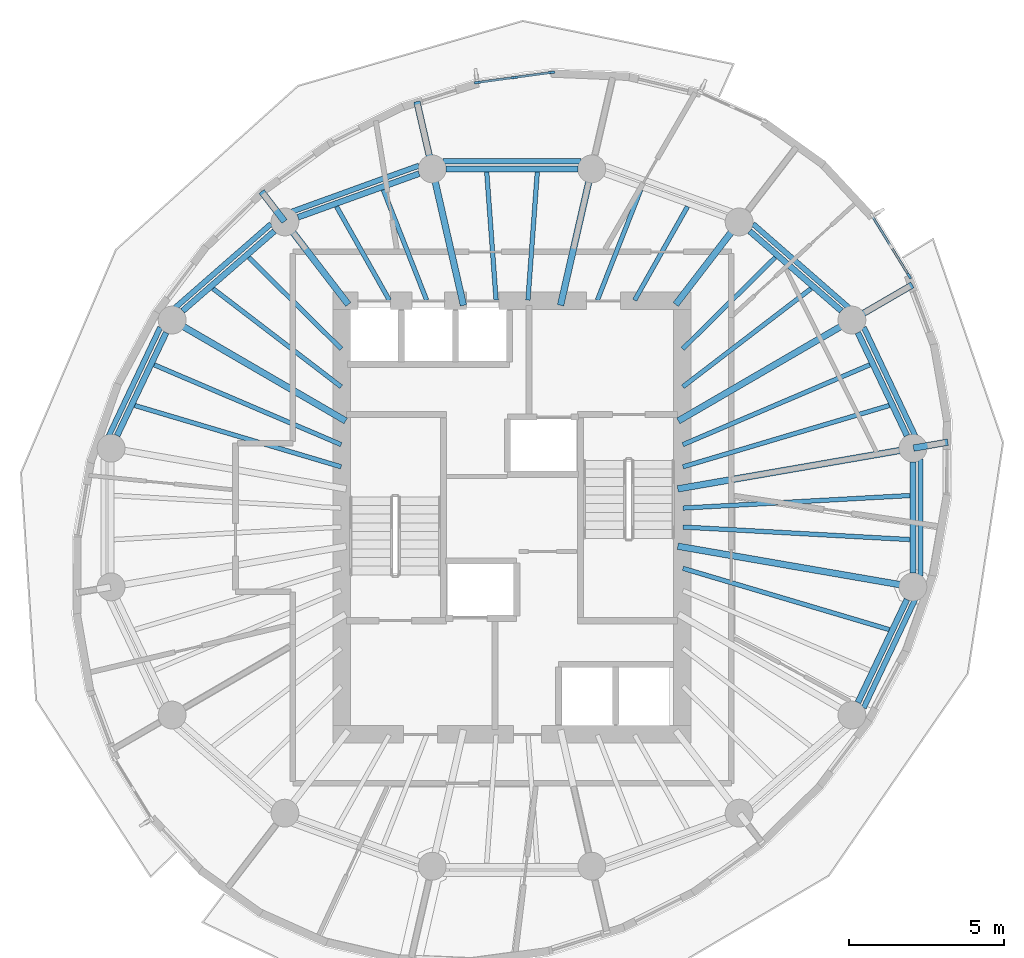
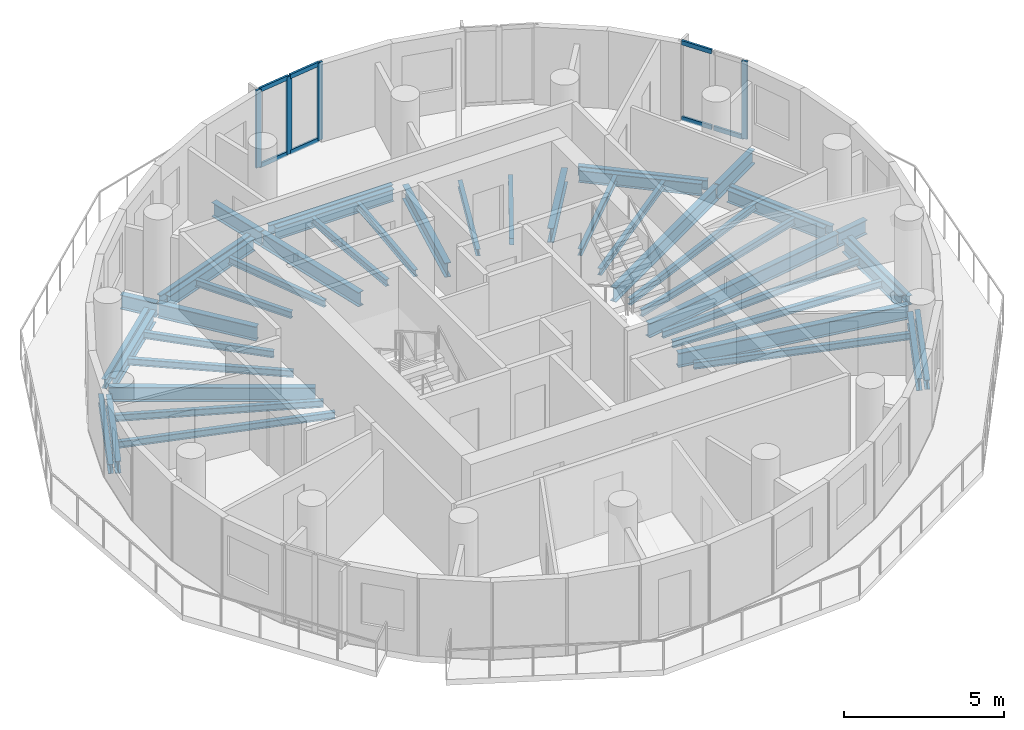
# One storey, part 2 of 10: 45 beams, 11 members, 2 elements without a shape of their own.
"""IFC4 building model written with IfcOpenShell, lengths in metres."""

from ifc_helpers import new_model, si_unit, direction, frame, origin, origin_2d, place, context, subcontext, project, spatial, rectangle, i_section, extrude, material, material_profile, profile_set, type_object, element, aggregate, save


model = new_model("IFC4")

# Units and contexts
model_context = context("Model", 3, precision=1e-05, world=origin(), true_north=direction((0.0, 1.0)))
body_context = subcontext(model_context, "Body", "Model", "MODEL_VIEW")
ifc_project = project(units=[si_unit("LENGTHUNIT", "METRE"), si_unit("AREAUNIT", "SQUARE_METRE"), si_unit("VOLUMEUNIT", "CUBIC_METRE"), si_unit("PLANEANGLEUNIT", "RADIAN"), si_unit("MASSUNIT", "GRAM", prefix="KILO")], contexts=[model_context])

# Site, building, storey
site_placement = place(None, origin())
site = spatial("IfcSite", under=ifc_project, at=site_placement, CompositionType="ELEMENT")
building_placement = place(site_placement, origin())
building = spatial("IfcBuilding", under=site, at=building_placement, Name="Veldorim Arch Residences", CompositionType="ELEMENT")
storey_placement = place(building_placement, frame((0.0, 0.0, 201.43994140625)))
storey = spatial("IfcBuildingStorey", under=building, at=storey_placement, Name="L60", CompositionType="ELEMENT", Elevation=201.43994140625)

# Beams
ifc_material_1 = material(Name="Steel S355", Category="steel")
ifc_material_profile_1 = material_profile(ifc_material_1, i_section(OverallWidth=0.2119140625, OverallDepth=0.54443359375, WebThickness=0.0126953125, FlangeThickness=0.021240234375, at=origin_2d()), Name="UB533x210x122")
ifc_profile_set_1 = profile_set([ifc_material_profile_1], Name="Steel S355")
beam_type_1 = type_object("IfcBeamType", Name="Structural Steel Beam UB533x210x122", PredefinedType="BEAM", material=ifc_profile_set_1)
beam_1_placement = place(storey_placement, frame((37.352294921875, 24.92578125, -0.51220703125), z_axis=(0.985364974081, 0.170457818401, 0.0), x_axis=(-0.170457818401, 0.985364974081, 0.0)))
element("IfcBeam", 1, at=beam_1_placement, inside=storey, type_object=beam_type_1, Name="L60 radial floor girder 01", PredefinedType="BEAM", context=body_context, shape_type="SweptSolid", body=[
    extrude(i_section(OverallWidth=0.2119140625, OverallDepth=0.54443359375, WebThickness=0.0126953125, FlangeThickness=0.021240234375, at=origin_2d()), origin(), (0.0, 0.0, 1.0), 7.68701171875),
])
beam_2_placement = place(storey_placement, frame((44.966064453125, 26.242919921875, -0.51220703125), z_axis=(0.985354711989, 0.170517129816, 0.0), x_axis=(-0.170517129816, 0.985354711989, 0.0)))
element("IfcBeam", 2, at=beam_2_placement, inside=storey, type_object=beam_type_1, Name="L60 radial edge cantilever girder 01", PredefinedType="BEAM", context=body_context, shape_type="SweptSolid", body=[
    extrude(i_section(OverallWidth=0.2119140625, OverallDepth=0.54443359375, WebThickness=0.0126953125, FlangeThickness=0.021240234375, at=origin_2d()), origin(), (0.0, 0.0, 1.0), 1.12548828125),
])
beam_3_placement = place(storey_placement, frame((37.370361328125, 27.12060546875, -0.51220703125), z_axis=(0.864595736304, 0.502468121142, 0.0), x_axis=(-0.502468121142, 0.864595736304, 0.0)))
element("IfcBeam", 3, at=beam_3_placement, inside=storey, type_object=beam_type_1, Name="L60 radial floor girder 02", PredefinedType="BEAM", context=body_context, shape_type="SweptSolid", body=[
    extrude(i_section(OverallWidth=0.2119140625, OverallDepth=0.54443359375, WebThickness=0.0126953125, FlangeThickness=0.021240234375, at=origin_2d()), origin(), (0.0, 0.0, 1.0), 6.462646484375),
])
beam_4_placement = place(storey_placement, frame((42.99267578125, 30.387939453125, -0.51220703125), z_axis=(0.86461626896, 0.502432788988, 0.0), x_axis=(-0.502432788988, 0.86461626896, 0.0)))
element("IfcBeam", 4, at=beam_4_placement, inside=storey, type_object=beam_type_1, Name="L60 radial edge cantilever girder 02", PredefinedType="BEAM", context=body_context, shape_type="SweptSolid", body=[
    extrude(i_section(OverallWidth=0.2119140625, OverallDepth=0.54443359375, WebThickness=0.0126953125, FlangeThickness=0.021240234375, at=origin_2d()), origin(), (0.0, 0.0, 1.0), 2.238525390625),
])
beam_5_placement = place(storey_placement, frame((37.28662109375, 30.881103515625, -0.51220703125), z_axis=(0.609258442308, 0.792971721108, 0.0), x_axis=(-0.792971721108, 0.609258442308, 0.0)))
element("IfcBeam", 5, at=beam_5_placement, inside=storey, type_object=beam_type_1, Name="L60 radial floor girder 03", PredefinedType="BEAM", context=body_context, shape_type="SweptSolid", body=[
    extrude(i_section(OverallWidth=0.2119140625, OverallDepth=0.54443359375, WebThickness=0.0126953125, FlangeThickness=0.021240234375, at=origin_2d()), origin(), (0.0, 0.0, 1.0), 3.339599609375),
])
for number, where, z_axis, x_axis, name in (
    (6, (33.567626953125, 30.853759765625, -0.51220703125), (0.222952976993, 0.97482920045, 0.0), (-0.97482920045, 0.222952976993, 0.0), "L60 radial floor girder 04"),
    (7, (30.432373046875, 30.853759765625, -0.51220703125), (-0.222952976993, 0.97482920045, 0.0), (-0.97482920045, -0.222952976993, 0.0), "L60 radial floor girder 05"),
):
    element("IfcBeam", number, at=place(storey_placement, frame(where, z_axis=z_axis, x_axis=x_axis)), inside=storey, type_object=beam_type_1, Name=name, PredefinedType="BEAM", context=body_context, shape_type="SweptSolid", body=[
        extrude(i_section(OverallWidth=0.2119140625, OverallDepth=0.54443359375, WebThickness=0.0126953125, FlangeThickness=0.021240234375, at=origin_2d()), origin(), (0.0, 0.0, 1.0), 4.49951171875),
    ])
beam_6_placement = place(storey_placement, frame((29.42041015625, 35.27880859375, -0.51220703125), z_axis=(-0.223010839713, 0.974815964872, 0.0), x_axis=(-0.974815964872, -0.223010839713, 0.0)))
element("IfcBeam", 8, at=beam_6_placement, inside=storey, type_object=beam_type_1, Name="L60 radial edge cantilever girder 05", PredefinedType="BEAM", context=body_context, shape_type="SweptSolid", body=[
    extrude(i_section(OverallWidth=0.2119140625, OverallDepth=0.54443359375, WebThickness=0.0126953125, FlangeThickness=0.021240234375, at=origin_2d()), origin(), (0.0, 0.0, 1.0), 2.209228515625),
])
beam_7_placement = place(storey_placement, frame((26.71337890625, 30.881103515625, -0.51220703125), z_axis=(-0.609258442308, 0.792971721108, 0.0), x_axis=(-0.792971721108, -0.609258442308, 0.0)))
element("IfcBeam", 9, at=beam_7_placement, inside=storey, type_object=beam_type_1, Name="L60 radial floor girder 06", PredefinedType="BEAM", context=body_context, shape_type="SweptSolid", body=[
    extrude(i_section(OverallWidth=0.2119140625, OverallDepth=0.54443359375, WebThickness=0.0126953125, FlangeThickness=0.021240234375, at=origin_2d()), origin(), (0.0, 0.0, 1.0), 3.339599609375),
])
beam_8_placement = place(storey_placement, frame((24.654296875, 33.561279296875, -0.51220703125), z_axis=(-0.609217205993, 0.793003402214, 0.0), x_axis=(-0.793003402214, -0.609217205993, 0.0)))
element("IfcBeam", 10, at=beam_8_placement, inside=storey, type_object=beam_type_1, Name="L60 radial edge cantilever girder 06", PredefinedType="BEAM", context=body_context, shape_type="SweptSolid", body=[
    extrude(i_section(OverallWidth=0.2119140625, OverallDepth=0.54443359375, WebThickness=0.0126953125, FlangeThickness=0.021240234375, at=origin_2d()), origin(), (0.0, 0.0, 1.0), 1.219482421875),
])
beam_9_placement = place(storey_placement, frame((26.629638671875, 27.12060546875, -0.51220703125), z_axis=(-0.864595736304, 0.502468121142, 0.0), x_axis=(-0.502468121142, -0.864595736304, 0.0)))
element("IfcBeam", 11, at=beam_9_placement, inside=storey, type_object=beam_type_1, Name="L60 radial floor girder 07", PredefinedType="BEAM", context=body_context, shape_type="SweptSolid", body=[
    extrude(i_section(OverallWidth=0.2119140625, OverallDepth=0.54443359375, WebThickness=0.0126953125, FlangeThickness=0.021240234375, at=origin_2d()), origin(), (0.0, 0.0, 1.0), 6.462646484375),
])
beam_10_placement = place(storey_placement, frame((37.352294921875, 23.07421875, -0.51220703125), z_axis=(0.985364974081, -0.170457818401, 0.0), x_axis=(0.170457818401, 0.985364974081, 0.0)))
element("IfcBeam", 12, at=beam_10_placement, inside=storey, type_object=beam_type_1, Name="L60 radial floor girder 16", PredefinedType="BEAM", context=body_context, shape_type="SweptSolid", body=[
    extrude(i_section(OverallWidth=0.2119140625, OverallDepth=0.54443359375, WebThickness=0.0126953125, FlangeThickness=0.021240234375, at=origin_2d()), origin(), (0.0, 0.0, 1.0), 7.68701171875),
])
ifc_material_2 = material(Name="Steel S355", Category="steel")
ifc_material_profile_2 = material_profile(ifc_material_2, i_section(OverallWidth=0.146484375, OverallDepth=0.256103515625, WebThickness=0.00634765625, FlangeThickness=0.010986328125, at=origin_2d()), Name="UB254x146x37")
ifc_profile_set_2 = profile_set([ifc_material_profile_2], Name="Steel S355")
beam_type_2 = type_object("IfcBeamType", Name="Structural Steel Joist UB254x146x37", PredefinedType="JOIST", material=ifc_profile_set_2)
beam_11_placement = place(storey_placement, frame((37.519287109375, 25.639404296875, -0.367919921875), z_axis=(0.958594432792, 0.284774846889, 0.0), x_axis=(-0.284774846889, 0.958594432792, 0.0)))
element("IfcBeam", 13, at=beam_11_placement, inside=storey, type_object=beam_type_2, Name="L60 secondary radial floor joist 01-1", PredefinedType="JOIST", context=body_context, shape_type="SweptSolid", body=[
    extrude(i_section(OverallWidth=0.146484375, OverallDepth=0.256103515625, WebThickness=0.00634765625, FlangeThickness=0.010986328125, at=origin_2d()), origin(), (0.0, 0.0, 1.0), 6.949462890625),
])
beam_12_placement = place(storey_placement, frame((37.518310546875, 26.355712890625, -0.367919921875), z_axis=(0.919725161652, 0.392562895629, 0.0), x_axis=(-0.392562895629, 0.919725161652, 0.0)))
element("IfcBeam", 14, at=beam_12_placement, inside=storey, type_object=beam_type_2, Name="L60 secondary radial floor joist 01-2", PredefinedType="JOIST", context=body_context, shape_type="SweptSolid", body=[
    extrude(i_section(OverallWidth=0.146484375, OverallDepth=0.256103515625, WebThickness=0.00634765625, FlangeThickness=0.010986328125, at=origin_2d()), origin(), (0.0, 0.0, 1.0), 6.5625),
])
beam_13_placement = place(storey_placement, frame((37.515869140625, 28.222900390625, -0.367919921875), z_axis=(0.794013672216, 0.607899899929, 0.0), x_axis=(-0.607899899929, 0.794013672216, 0.0)))
element("IfcBeam", 15, at=beam_13_placement, inside=storey, type_object=beam_type_2, Name="L60 secondary radial floor joist 02-1", PredefinedType="JOIST", context=body_context, shape_type="SweptSolid", body=[
    extrude(i_section(OverallWidth=0.146484375, OverallDepth=0.256103515625, WebThickness=0.00634765625, FlangeThickness=0.010986328125, at=origin_2d()), origin(), (0.0, 0.0, 1.0), 5.217041015625),
])
beam_14_placement = place(storey_placement, frame((37.51416015625, 29.44775390625, -0.367919921875), z_axis=(0.711396725432, 0.702790650937, 0.0), x_axis=(-0.702790650937, 0.711396725432, 0.0)))
element("IfcBeam", 16, at=beam_14_placement, inside=storey, type_object=beam_type_2, Name="L60 secondary radial floor joist 02-2", PredefinedType="JOIST", context=body_context, shape_type="SweptSolid", body=[
    extrude(i_section(OverallWidth=0.146484375, OverallDepth=0.256103515625, WebThickness=0.00634765625, FlangeThickness=0.010986328125, at=origin_2d()), origin(), (0.0, 0.0, 1.0), 4.198486328125),
])
beam_15_placement = place(storey_placement, frame((35.960205078125, 31.017333984375, -0.367919921875), z_axis=(0.491452469585, 0.870904397818, 0.0), x_axis=(-0.870904397818, 0.491452469585, 0.0)))
element("IfcBeam", 17, at=beam_15_placement, inside=storey, type_object=beam_type_2, Name="L60 secondary radial floor joist 03-1", PredefinedType="JOIST", context=body_context, shape_type="SweptSolid", body=[
    extrude(i_section(OverallWidth=0.146484375, OverallDepth=0.256103515625, WebThickness=0.00634765625, FlangeThickness=0.010986328125, at=origin_2d()), origin(), (0.0, 0.0, 1.0), 3.472412109375),
])
beam_16_placement = place(storey_placement, frame((34.75634765625, 31.0185546875, -0.367919921875), z_axis=(0.365581383042, 0.930779379001, 0.0), x_axis=(-0.930779379001, 0.365581383042, 0.0)))
element("IfcBeam", 18, at=beam_16_placement, inside=storey, type_object=beam_type_2, Name="L60 secondary radial floor joist 03-2", PredefinedType="JOIST", context=body_context, shape_type="SweptSolid", body=[
    extrude(i_section(OverallWidth=0.146484375, OverallDepth=0.256103515625, WebThickness=0.00634765625, FlangeThickness=0.010986328125, at=origin_2d()), origin(), (0.0, 0.0, 1.0), 3.83056640625),
])
for number, where, z_axis, x_axis, name in (
    (19, (32.513916015625, 31.02001953125, -0.367919921875), (0.072985625899, 0.997332992742, 0.0), (-0.997332992742, 0.072985625899, 0.0), "L60 secondary radial floor joist 04-1"),
    (20, (31.486083984375, 31.02001953125, -0.367919921875), (-0.072985625899, 0.997332992742, 0.0), (-0.997332992742, -0.072985625899, 0.0), "L60 secondary radial floor joist 04-2"),
):
    element("IfcBeam", number, at=place(storey_placement, frame(where, z_axis=z_axis, x_axis=x_axis)), inside=storey, type_object=beam_type_2, Name=name, PredefinedType="JOIST", context=body_context, shape_type="SweptSolid", body=[
        extrude(i_section(OverallWidth=0.146484375, OverallDepth=0.256103515625, WebThickness=0.00634765625, FlangeThickness=0.010986328125, at=origin_2d()), origin(), (0.0, 0.0, 1.0), 4.151123046875),
    ])
beam_17_placement = place(storey_placement, frame((29.24365234375, 31.0185546875, -0.367919921875), z_axis=(-0.365581383042, 0.930779379001, 0.0), x_axis=(-0.930779379001, -0.365581383042, 0.0)))
element("IfcBeam", 21, at=beam_17_placement, inside=storey, type_object=beam_type_2, Name="L60 secondary radial floor joist 05-1", PredefinedType="JOIST", context=body_context, shape_type="SweptSolid", body=[
    extrude(i_section(OverallWidth=0.146484375, OverallDepth=0.256103515625, WebThickness=0.00634765625, FlangeThickness=0.010986328125, at=origin_2d()), origin(), (0.0, 0.0, 1.0), 3.83056640625),
])
beam_18_placement = place(storey_placement, frame((28.039794921875, 31.017333984375, -0.367919921875), z_axis=(-0.491452469585, 0.870904397818, 0.0), x_axis=(-0.870904397818, -0.491452469585, 0.0)))
element("IfcBeam", 22, at=beam_18_placement, inside=storey, type_object=beam_type_2, Name="L60 secondary radial floor joist 05-2", PredefinedType="JOIST", context=body_context, shape_type="SweptSolid", body=[
    extrude(i_section(OverallWidth=0.146484375, OverallDepth=0.256103515625, WebThickness=0.00634765625, FlangeThickness=0.010986328125, at=origin_2d()), origin(), (0.0, 0.0, 1.0), 3.472412109375),
])
beam_19_placement = place(storey_placement, frame((26.48583984375, 29.44775390625, -0.367919921875), z_axis=(-0.711396725432, 0.702790650937, 0.0), x_axis=(-0.702790650937, -0.711396725432, 0.0)))
element("IfcBeam", 23, at=beam_19_placement, inside=storey, type_object=beam_type_2, Name="L60 secondary radial floor joist 06-1", PredefinedType="JOIST", context=body_context, shape_type="SweptSolid", body=[
    extrude(i_section(OverallWidth=0.146484375, OverallDepth=0.256103515625, WebThickness=0.00634765625, FlangeThickness=0.010986328125, at=origin_2d()), origin(), (0.0, 0.0, 1.0), 4.198486328125),
])
beam_20_placement = place(storey_placement, frame((26.484130859375, 28.222900390625, -0.367919921875), z_axis=(-0.794013672216, 0.607899899929, 0.0), x_axis=(-0.607899899929, -0.794013672216, 0.0)))
element("IfcBeam", 24, at=beam_20_placement, inside=storey, type_object=beam_type_2, Name="L60 secondary radial floor joist 06-2", PredefinedType="JOIST", context=body_context, shape_type="SweptSolid", body=[
    extrude(i_section(OverallWidth=0.146484375, OverallDepth=0.256103515625, WebThickness=0.00634765625, FlangeThickness=0.010986328125, at=origin_2d()), origin(), (0.0, 0.0, 1.0), 5.217041015625),
])
beam_21_placement = place(storey_placement, frame((26.481689453125, 26.355712890625, -0.367919921875), z_axis=(-0.919725161652, 0.392562895629, 0.0), x_axis=(-0.392562895629, -0.919725161652, 0.0)))
element("IfcBeam", 25, at=beam_21_placement, inside=storey, type_object=beam_type_2, Name="L60 secondary radial floor joist 07-1", PredefinedType="JOIST", context=body_context, shape_type="SweptSolid", body=[
    extrude(i_section(OverallWidth=0.146484375, OverallDepth=0.256103515625, WebThickness=0.00634765625, FlangeThickness=0.010986328125, at=origin_2d()), origin(), (0.0, 0.0, 1.0), 6.5625),
])
for number, where, z_axis, x_axis, name in (
    (26, (26.480712890625, 25.639404296875, -0.367919921875), (-0.958594432792, 0.284774846889, 0.0), (-0.284774846889, -0.958594432792, 0.0), "L60 secondary radial floor joist 07-2"),
    (27, (37.519287109375, 22.360595703125, -0.367919921875), (0.958594432792, -0.284774846889, 0.0), (0.284774846889, 0.958594432792, 0.0), "L60 secondary radial floor joist 15-2"),
):
    element("IfcBeam", number, at=place(storey_placement, frame(where, z_axis=z_axis, x_axis=x_axis)), inside=storey, type_object=beam_type_2, Name=name, PredefinedType="JOIST", context=body_context, shape_type="SweptSolid", body=[
        extrude(i_section(OverallWidth=0.146484375, OverallDepth=0.256103515625, WebThickness=0.00634765625, FlangeThickness=0.010986328125, at=origin_2d()), origin(), (0.0, 0.0, 1.0), 6.949462890625),
    ])
for number, where, z_axis, x_axis, name in (
    (28, (37.52001953125, 23.6943359375, -0.367919921875), (0.998472000884, -0.055259962464, 0.0), (0.055259962464, 0.998472000884, 0.0), "L60 secondary radial floor joist 16-1"),
    (29, (37.52001953125, 24.3056640625, -0.367919921875), (0.998472000884, 0.055259962464, 0.0), (-0.055259962464, 0.998472000884, 0.0), "L60 secondary radial floor joist 16-2"),
):
    element("IfcBeam", number, at=place(storey_placement, frame(where, z_axis=z_axis, x_axis=x_axis)), inside=storey, type_object=beam_type_2, Name=name, PredefinedType="JOIST", context=body_context, shape_type="SweptSolid", body=[
        extrude(i_section(OverallWidth=0.146484375, OverallDepth=0.256103515625, WebThickness=0.00634765625, FlangeThickness=0.010986328125, at=origin_2d()), origin(), (0.0, 0.0, 1.0), 7.33837890625),
    ])
ifc_material_3 = material(Name="Steel S355", Category="steel")
ifc_material_profile_3 = material_profile(ifc_material_3, i_section(OverallWidth=0.172119140625, OverallDepth=0.35791015625, WebThickness=0.008056640625, FlangeThickness=0.012939453125, at=origin_2d()), Name="UB356x171x57")
ifc_profile_set_3 = profile_set([ifc_material_profile_3], Name="Steel S355")
beam_type_3 = type_object("IfcBeamType", Name="Structural Steel Spandrel UB356x171x57", PredefinedType="SPANDREL", material=ifc_profile_set_3)
beam_22_placement = place(storey_placement, frame((45.0205078125, 26.6396484375, -0.43896484375), z_axis=(-0.428408308939, 0.903585259304, 0.0), x_axis=(-0.903585259304, -0.428408308939, 0.0)))
element("IfcBeam", 30, at=beam_22_placement, inside=storey, type_object=beam_type_3, Name="L60 perimeter chord spandrel beam 01", PredefinedType="SPANDREL", context=body_context, shape_type="SweptSolid", body=[
    extrude(i_section(OverallWidth=0.172119140625, OverallDepth=0.35791015625, WebThickness=0.008056640625, FlangeThickness=0.012939453125, at=origin_2d()), origin(), (0.0, 0.0, 1.0), 3.878662109375),
])
beam_23_placement = place(storey_placement, frame((42.891357421875, 30.762939453125, -0.43896484375), z_axis=(-0.752847646119, 0.6581948205, 0.0), x_axis=(-0.6581948205, -0.752847646119, 0.0)))
element("IfcBeam", 31, at=beam_23_placement, inside=storey, type_object=beam_type_3, Name="L60 perimeter chord spandrel beam 02", PredefinedType="SPANDREL", context=body_context, shape_type="SweptSolid", body=[
    extrude(i_section(OverallWidth=0.172119140625, OverallDepth=0.35791015625, WebThickness=0.008056640625, FlangeThickness=0.012939453125, at=origin_2d()), origin(), (0.0, 0.0, 1.0), 4.12939453125),
])
beam_24_placement = place(storey_placement, frame((34.234375, 35.500732421875, -0.43896484375), z_axis=(-1.0, 0.0, 0.0), x_axis=(0.0, -1.0, 0.0)))
element("IfcBeam", 32, at=beam_24_placement, inside=storey, type_object=beam_type_3, Name="L60 perimeter chord spandrel beam 04", PredefinedType="SPANDREL", context=body_context, shape_type="SweptSolid", body=[
    extrude(i_section(OverallWidth=0.172119140625, OverallDepth=0.35791015625, WebThickness=0.008056640625, FlangeThickness=0.012939453125, at=origin_2d()), origin(), (0.0, 0.0, 1.0), 4.46875),
])
beam_25_placement = place(storey_placement, frame((28.997314453125, 35.36572265625, -0.43896484375), z_axis=(-0.940164695555, -0.340720332871, 0.0), x_axis=(0.340720332871, -0.940164695555, 0.0)))
element("IfcBeam", 33, at=beam_25_placement, inside=storey, type_object=beam_type_3, Name="L60 perimeter chord spandrel beam 05", PredefinedType="SPANDREL", context=body_context, shape_type="SweptSolid", body=[
    extrude(i_section(OverallWidth=0.172119140625, OverallDepth=0.35791015625, WebThickness=0.008056640625, FlangeThickness=0.012939453125, at=origin_2d()), origin(), (0.0, 0.0, 1.0), 4.370849609375),
])
beam_26_placement = place(storey_placement, frame((24.217529296875, 33.48095703125, -0.43896484375), z_axis=(-0.752847646119, -0.6581948205, 0.0), x_axis=(0.6581948205, -0.752847646119, 0.0)))
element("IfcBeam", 34, at=beam_26_placement, inside=storey, type_object=beam_type_3, Name="L60 perimeter chord spandrel beam 06", PredefinedType="SPANDREL", context=body_context, shape_type="SweptSolid", body=[
    extrude(i_section(OverallWidth=0.172119140625, OverallDepth=0.35791015625, WebThickness=0.008056640625, FlangeThickness=0.012939453125, at=origin_2d()), origin(), (0.0, 0.0, 1.0), 4.12939453125),
])
for number, where, z_axis, x_axis, name in (
    (35, (20.64111328125, 30.144287109375, -0.43896484375), (-0.428408308939, -0.903585259304, 0.0), (0.903585259304, -0.428408308939, 0.0), "L60 perimeter chord spandrel beam 07"),
    (36, (43.35888671875, 17.855712890625, -0.43896484375), (0.428408308939, 0.903585259304, 0.0), (-0.903585259304, 0.428408308939, 0.0), "L60 perimeter chord spandrel beam 15"),
):
    element("IfcBeam", number, at=place(storey_placement, frame(where, z_axis=z_axis, x_axis=x_axis)), inside=storey, type_object=beam_type_3, Name=name, PredefinedType="SPANDREL", context=body_context, shape_type="SweptSolid", body=[
        extrude(i_section(OverallWidth=0.172119140625, OverallDepth=0.35791015625, WebThickness=0.008056640625, FlangeThickness=0.012939453125, at=origin_2d()), origin(), (0.0, 0.0, 1.0), 3.878662109375),
    ])
beam_27_placement = place(storey_placement, frame((45.190185546875, 22.1142578125, -0.43896484375), z_axis=(0.0, 1.0, 0.0), x_axis=(-1.0, 0.0, 0.0)))
element("IfcBeam", 37, at=beam_27_placement, inside=storey, type_object=beam_type_3, Name="L60 perimeter chord spandrel beam 16", PredefinedType="SPANDREL", context=body_context, shape_type="SweptSolid", body=[
    extrude(i_section(OverallWidth=0.172119140625, OverallDepth=0.35791015625, WebThickness=0.008056640625, FlangeThickness=0.012939453125, at=origin_2d()), origin(), (0.0, 0.0, 1.0), 3.771484375),
])
ifc_material_4 = material(Name="Steel S355", Category="steel")
ifc_material_profile_4 = material_profile(ifc_material_4, i_section(OverallWidth=0.19140625, OverallDepth=0.4599609375, WebThickness=0.010009765625, FlangeThickness=0.01611328125, at=origin_2d()), Name="UB457x191x82")
ifc_profile_set_4 = profile_set([ifc_material_profile_4], Name="Steel S355")
beam_type_4 = type_object("IfcBeamType", Name="Structural Steel Spandrel UB457x191x82", PredefinedType="SPANDREL", material=ifc_profile_set_4)
beam_28_placement = place(storey_placement, frame((44.7529296875, 26.64599609375, -0.469970703125), z_axis=(-0.430005613988, 0.902826213586, 0.0), x_axis=(-0.902826213586, -0.430005613988, 0.0)))
element("IfcBeam", 38, at=beam_28_placement, inside=storey, type_object=beam_type_4, Name="L60 perimeter ring tie beam 01", PredefinedType="SPANDREL", context=body_context, shape_type="SweptSolid", body=[
    extrude(i_section(OverallWidth=0.19140625, OverallDepth=0.4599609375, WebThickness=0.010009765625, FlangeThickness=0.01611328125, at=origin_2d()), origin(), (0.0, 0.0, 1.0), 3.68359375),
])
beam_29_placement = place(storey_placement, frame((42.635986328125, 30.673095703125, -0.469970703125), z_axis=(-0.754545285701, 0.656247980436, 0.0), x_axis=(-0.656247980436, -0.754545285701, 0.0)))
element("IfcBeam", 39, at=beam_29_placement, inside=storey, type_object=beam_type_4, Name="L60 perimeter ring tie beam 02", PredefinedType="SPANDREL", context=body_context, shape_type="SweptSolid", body=[
    extrude(i_section(OverallWidth=0.19140625, OverallDepth=0.4599609375, WebThickness=0.010009765625, FlangeThickness=0.01611328125, at=origin_2d()), origin(), (0.0, 0.0, 1.0), 3.9267578125),
])
beam_30_placement = place(storey_placement, frame((34.125244140625, 35.259521484375, -0.469970703125), z_axis=(-1.0, 0.0, 0.0), x_axis=(0.0, -1.0, 0.0)))
element("IfcBeam", 40, at=beam_30_placement, inside=storey, type_object=beam_type_4, Name="L60 perimeter ring tie beam 04", PredefinedType="SPANDREL", context=body_context, shape_type="SweptSolid", body=[
    extrude(i_section(OverallWidth=0.19140625, OverallDepth=0.4599609375, WebThickness=0.010009765625, FlangeThickness=0.01611328125, at=origin_2d()), origin(), (0.0, 0.0, 1.0), 4.25048828125),
])
beam_31_placement = place(storey_placement, frame((29.00146484375, 35.10693359375, -0.469970703125), z_axis=(-0.940811035395, -0.338931550137, 0.0), x_axis=(0.338931550137, -0.940811035395, 0.0)))
element("IfcBeam", 41, at=beam_31_placement, inside=storey, type_object=beam_type_4, Name="L60 perimeter ring tie beam 05", PredefinedType="SPANDREL", context=body_context, shape_type="SweptSolid", body=[
    extrude(i_section(OverallWidth=0.19140625, OverallDepth=0.4599609375, WebThickness=0.010009765625, FlangeThickness=0.01611328125, at=origin_2d()), origin(), (0.0, 0.0, 1.0), 4.15771484375),
])
beam_32_placement = place(storey_placement, frame((24.326904296875, 33.25, -0.469970703125), z_axis=(-0.754545285701, -0.656247980436, 0.0), x_axis=(0.656247980436, -0.754545285701, 0.0)))
element("IfcBeam", 42, at=beam_32_placement, inside=storey, type_object=beam_type_4, Name="L60 perimeter ring tie beam 06", PredefinedType="SPANDREL", context=body_context, shape_type="SweptSolid", body=[
    extrude(i_section(OverallWidth=0.19140625, OverallDepth=0.4599609375, WebThickness=0.010009765625, FlangeThickness=0.01611328125, at=origin_2d()), origin(), (0.0, 0.0, 1.0), 3.9267578125),
])
for number, where, z_axis, x_axis, name in (
    (43, (20.8310546875, 29.9716796875, -0.469970703125), (-0.430005613988, -0.902826213586, 0.0), (0.902826213586, -0.430005613988, 0.0), "L60 perimeter ring tie beam 07"),
    (44, (43.1689453125, 18.0283203125, -0.469970703125), (0.430005613988, 0.902826213586, 0.0), (-0.902826213586, 0.430005613988, 0.0), "L60 perimeter ring tie beam 15"),
):
    element("IfcBeam", number, at=place(storey_placement, frame(where, z_axis=z_axis, x_axis=x_axis)), inside=storey, type_object=beam_type_4, Name=name, PredefinedType="SPANDREL", context=body_context, shape_type="SweptSolid", body=[
        extrude(i_section(OverallWidth=0.19140625, OverallDepth=0.4599609375, WebThickness=0.010009765625, FlangeThickness=0.01611328125, at=origin_2d()), origin(), (0.0, 0.0, 1.0), 3.68359375),
    ])
beam_33_placement = place(storey_placement, frame((44.9462890625, 22.21044921875, -0.469970703125), z_axis=(0.0, 1.0, 0.0), x_axis=(-1.0, 0.0, 0.0)))
element("IfcBeam", 45, at=beam_33_placement, inside=storey, type_object=beam_type_4, Name="L60 perimeter ring tie beam 16", PredefinedType="SPANDREL", context=body_context, shape_type="SweptSolid", body=[
    extrude(i_section(OverallWidth=0.19140625, OverallDepth=0.4599609375, WebThickness=0.010009765625, FlangeThickness=0.01611328125, at=origin_2d()), origin(), (0.0, 0.0, 1.0), 3.5791015625),
])

# Curtain wall, members
ifc_material_5 = material(Name="Aluminium", Category="aluminium")
curtain_wall_type = type_object("IfcCurtainWallType", Name="Zone 4 High-Altitude Unitised Curtain Wall", PredefinedType="NOTDEFINED", material=ifc_material_5)
curtain_wall_1_placement = place(storey_placement, origin())
curtain_wall_1 = element("IfcCurtainWall", 46, at=curtain_wall_1_placement, inside=storey, type_object=curtain_wall_type, Name="L60 unitised curtain wall bay 05", PredefinedType="NOTDEFINED")
ifc_material_6 = material(Name="Aluminium", Category="aluminium")
ifc_material_profile_5 = material_profile(ifc_material_6, rectangle(XDim=0.074951171875, YDim=0.195068359375, at=origin_2d()), Name="ALU_MUL_75x195")
ifc_profile_set_5 = profile_set([ifc_material_profile_5], Name="Aluminium")
member_type_1 = type_object("IfcMemberType", Name="Zone 4 High-Altitude Unitised Curtain Wall Mullion 75x195", PredefinedType="MULLION", material=ifc_profile_set_5)
member_1_placement = place(storey_placement, frame((30.878173828125, 38.0478515625, 0.0), z_axis=(0.0, 0.0, 1.0), x_axis=(-0.134244609331, 0.990948225119, 0.0)))
member_1 = element("IfcMember", 47, at=member_1_placement, type_object=member_type_1, Name="CW-Z4 mullion 1", PredefinedType="MULLION", context=body_context, shape_type="SweptSolid", body=[
    extrude(rectangle(XDim=0.074951171875, YDim=0.195068359375, at=origin_2d()), origin(), (0.0, 0.0, 1.0), 2.9599609375),
])
member_2_placement = place(storey_placement, frame((32.08056640625, 38.2109375, 0.0), z_axis=(0.0, 0.0, 1.0), x_axis=(-0.134244609331, 0.990948225119, 0.0)))
member_2 = element("IfcMember", 48, at=member_2_placement, type_object=member_type_1, Name="CW-Z4 mullion 2", PredefinedType="MULLION", context=body_context, shape_type="SweptSolid", body=[
    extrude(rectangle(XDim=0.074951171875, YDim=0.195068359375, at=origin_2d()), origin(), (0.0, 0.0, 1.0), 2.9599609375),
])
member_3_placement = place(storey_placement, frame((33.283203125, 38.373779296875, 0.0), z_axis=(0.0, 0.0, 1.0), x_axis=(-0.134244609331, 0.990948225119, 0.0)))
member_3 = element("IfcMember", 49, at=member_3_placement, type_object=member_type_1, Name="CW-Z4 mullion 3", PredefinedType="MULLION", context=body_context, shape_type="SweptSolid", body=[
    extrude(rectangle(XDim=0.074951171875, YDim=0.195068359375, at=origin_2d()), origin(), (0.0, 0.0, 1.0), 2.9599609375),
])

# Curtain wall, member
curtain_wall_2_placement = place(storey_placement, origin())
curtain_wall_2 = element("IfcCurtainWall", 50, at=curtain_wall_2_placement, inside=storey, type_object=curtain_wall_type, Name="L60 unitised curtain wall bay 35", PredefinedType="NOTDEFINED")
member_4_placement = place(storey_placement, frame((44.824951171875, 31.7978515625, 0.0), z_axis=(0.0, 0.0, 1.0), x_axis=(0.851801663929, 0.523864415023, 0.0)))
member_4 = element("IfcMember", 51, at=member_4_placement, type_object=member_type_1, Name="CW-Z4 mullion 3", PredefinedType="MULLION", context=body_context, shape_type="SweptSolid", body=[
    extrude(rectangle(XDim=0.074951171875, YDim=0.195068359375, at=origin_2d()), origin(), (0.0, 0.0, 1.0), 2.9599609375),
])

# Member
ifc_material_7 = material(Name="Aluminium", Category="aluminium")
ifc_material_profile_6 = material_profile(ifc_material_7, rectangle(XDim=0.074951171875, YDim=0.1650390625, at=origin_2d()), Name="ALU_TRN_75x165")
ifc_profile_set_6 = profile_set([ifc_material_profile_6], Name="Aluminium")
member_type_2 = type_object("IfcMemberType", Name="Zone 4 High-Altitude Unitised Curtain Wall Transom 75x165", PredefinedType="USERDEFINED", material=ifc_profile_set_6)
member_5_placement = place(storey_placement, frame((30.915283203125, 38.052978515625, 0.03759765625), z_axis=(0.99094853461, 0.134242324749, 0.0), x_axis=(-0.134242324749, 0.99094853461, 0.0)))
member_5 = element("IfcMember", 52, at=member_5_placement, type_object=member_type_2, Name="CW-Z4 transom 1.1", ObjectType="TRANSOM", PredefinedType="USERDEFINED", context=body_context, shape_type="SweptSolid", body=[
    extrude(rectangle(XDim=0.074951171875, YDim=0.1650390625, at=origin_2d()), origin(), (0.0, 0.0, 1.0), 1.138427734375),
])

member_6_placement = place(storey_placement, frame((30.915283203125, 38.052978515625, 2.922607421875), z_axis=(0.99094853461, 0.134242324749, 0.0), x_axis=(-0.134242324749, 0.99094853461, 0.0)))
member_6 = element("IfcMember", 53, at=member_6_placement, type_object=member_type_2, Name="CW-Z4 transom 1.2", ObjectType="TRANSOM", PredefinedType="USERDEFINED", context=body_context, shape_type="SweptSolid", body=[
    extrude(rectangle(XDim=0.074951171875, YDim=0.1650390625, at=origin_2d()), origin(), (0.0, 0.0, 1.0), 1.138427734375),
])

member_7_placement = place(storey_placement, frame((32.117919921875, 38.2158203125, 0.03759765625), z_axis=(0.99094853461, 0.134242324749, 0.0), x_axis=(-0.134242324749, 0.99094853461, 0.0)))
member_7 = element("IfcMember", 54, at=member_7_placement, type_object=member_type_2, Name="CW-Z4 transom 2.1", ObjectType="TRANSOM", PredefinedType="USERDEFINED", context=body_context, shape_type="SweptSolid", body=[
    extrude(rectangle(XDim=0.074951171875, YDim=0.1650390625, at=origin_2d()), origin(), (0.0, 0.0, 1.0), 1.138427734375),
])

member_8_placement = place(storey_placement, frame((32.117919921875, 38.2158203125, 2.922607421875), z_axis=(0.99094853461, 0.134242324749, 0.0), x_axis=(-0.134242324749, 0.99094853461, 0.0)))
member_8 = element("IfcMember", 55, at=member_8_placement, type_object=member_type_2, Name="CW-Z4 transom 2.2", ObjectType="TRANSOM", PredefinedType="USERDEFINED", context=body_context, shape_type="SweptSolid", body=[
    extrude(rectangle(XDim=0.074951171875, YDim=0.1650390625, at=origin_2d()), origin(), (0.0, 0.0, 1.0), 1.138427734375),
])

aggregate(curtain_wall_1, [member_1, member_2, member_3, member_5, member_6, member_7, member_8])

member_9_placement = place(storey_placement, frame((43.654541015625, 33.700927734375, 0.03759765625), z_axis=(0.523840572691, -0.851816326682, 0.0), x_axis=(0.851816326682, 0.523840572691, 0.0)))
member_9 = element("IfcMember", 56, at=member_9_placement, type_object=member_type_2, Name="CW-Z4 transom 1.1", ObjectType="TRANSOM", PredefinedType="USERDEFINED", context=body_context, shape_type="SweptSolid", body=[
    extrude(rectangle(XDim=0.074951171875, YDim=0.1650390625, at=origin_2d()), origin(), (0.0, 0.0, 1.0), 1.060791015625),
])

member_10_placement = place(storey_placement, frame((43.654541015625, 33.700927734375, 2.922607421875), z_axis=(0.523840572691, -0.851816326682, 0.0), x_axis=(0.851816326682, 0.523840572691, 0.0)))
member_10 = element("IfcMember", 57, at=member_10_placement, type_object=member_type_2, Name="CW-Z4 transom 1.2", ObjectType="TRANSOM", PredefinedType="USERDEFINED", context=body_context, shape_type="SweptSolid", body=[
    extrude(rectangle(XDim=0.074951171875, YDim=0.1650390625, at=origin_2d()), origin(), (0.0, 0.0, 1.0), 1.060791015625),
])

member_11_placement = place(storey_placement, frame((44.24951171875, 32.7333984375, 0.03759765625), z_axis=(0.524007543384, -0.851713622338, 0.0), x_axis=(0.851713622338, 0.524007543384, 0.0)))
member_11 = element("IfcMember", 58, at=member_11_placement, type_object=member_type_2, Name="CW-Z4 transom 2.1", ObjectType="TRANSOM", PredefinedType="USERDEFINED", context=body_context, shape_type="SweptSolid", body=[
    extrude(rectangle(XDim=0.074951171875, YDim=0.1650390625, at=origin_2d()), origin(), (0.0, 0.0, 1.0), 1.060791015625),
])

aggregate(curtain_wall_2, [member_4, member_9, member_10, member_11])

save(model, "model.ifc")
